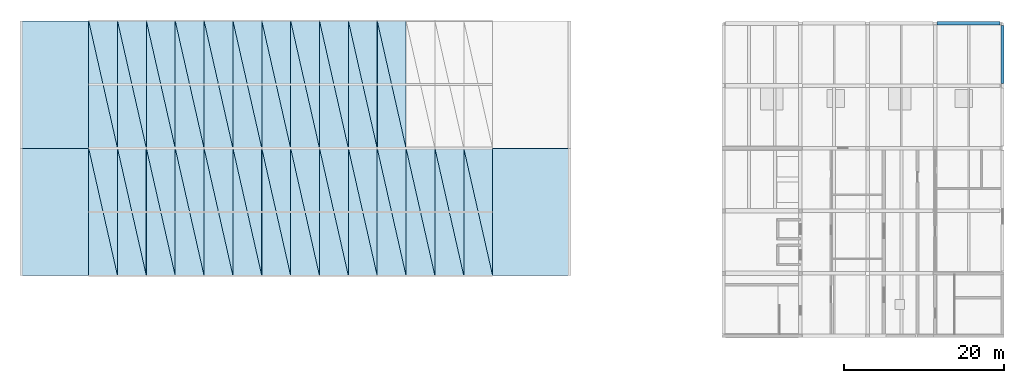
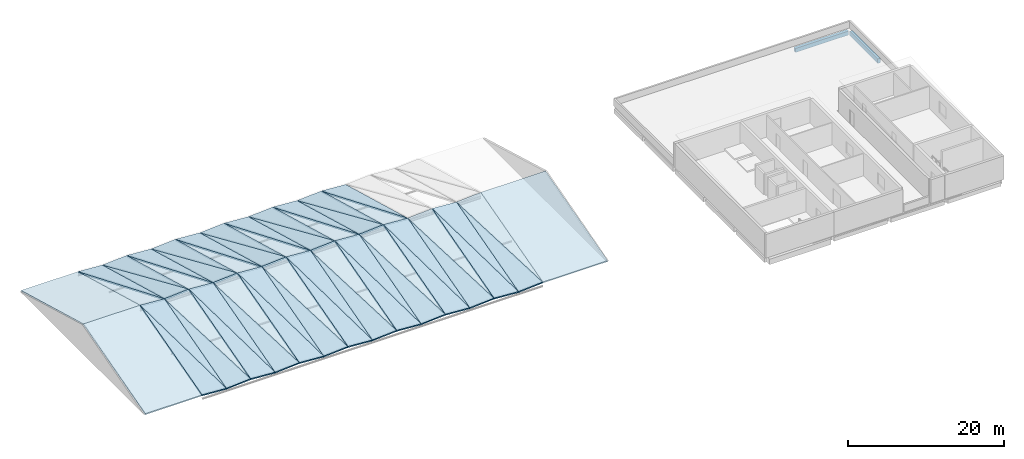
# One storey, part 2 of 6: 53 slabs, 2 beams.
"""IFC4 building model written with IfcOpenShell, lengths in metres."""

import ifcopenshell
import ifcopenshell.guid

model = None  # the IFC model being written
_history = None  # IfcOwnerHistory: only IFC2X3 demands one
_inside = {}  # id of a spatial element -> (the spatial element, [elements in it])
_under = {}  # id of a project, library or spatial element -> (it, [spatial elements below it])
_declared = {}  # id of a project -> (the project, [libraries it declares])
_typed = {}  # id of a type object -> (the type object, [elements of that type])
_made_of = {}  # id of a material, layer set ... -> (it, [elements and type objects made of it])


def new_model(schema):
    """Start an empty IFC model of exactly this schema.

    Asked for "IFC4X3", IfcOpenShell would pick the latest addendum, in which some entities
    have other attributes; the version numbers below select the first issue.
    IFC2X3 requires an IfcOwnerHistory on every rooted entity: one is made here for all.
    """
    global model, _history
    if schema == "IFC4X3":
        model = ifcopenshell.file(schema_version=(4, 3, 0, 0))
    else:
        model = ifcopenshell.file(schema=schema)
    _inside.clear()
    _under.clear()
    _declared.clear()
    _typed.clear()
    _made_of.clear()
    _history = None
    if model.schema == "IFC2X3":
        org = make("IfcOrganization", Name="unknown")
        user = make(
            "IfcPersonAndOrganization",
            ThePerson=make("IfcPerson", FamilyName="unknown"),
            TheOrganization=org,
        )
        app = make(
            "IfcApplication",
            ApplicationDeveloper=org,
            Version="unknown",
            ApplicationFullName="unknown",
            ApplicationIdentifier="unknown",
        )
        _history = make(
            "IfcOwnerHistory",
            OwningUser=user,
            OwningApplication=app,
            ChangeAction="ADDED",
            CreationDate=0,
        )
    return model


def make(cls, **values):
    """One entity of the class cls with the attributes given. An attribute that is None is left unset."""
    return model.create_entity(
        cls, **{name: value for name, value in values.items() if value is not None}
    )


def rooted(cls, **values):
    """An entity with a GlobalId (a new one), such as an element, a storey or a relation."""
    return make(cls, GlobalId=ifcopenshell.guid.new(), OwnerHistory=_history, **values)


def si_unit(unit_type, name, prefix=None):
    """IfcSIUnit, for example si_unit("LENGTHUNIT", "METRE", prefix="MILLI")."""
    return make("IfcSIUnit", UnitType=unit_type, Prefix=prefix, Name=name)


def assignment(units):
    """IfcUnitAssignment: the units of a project."""
    return None if units is None else make("IfcUnitAssignment", Units=units)


def point(xyz):
    """IfcCartesianPoint."""
    return None if xyz is None else make("IfcCartesianPoint", Coordinates=xyz)


def direction(xyz):
    """IfcDirection."""
    return None if xyz is None else make("IfcDirection", DirectionRatios=xyz)


def frame(location, z_axis=None, x_axis=None):
    """IfcAxis2Placement3D, a coordinate frame: its origin and axes. An axis left out is left unset."""
    return make(
        "IfcAxis2Placement3D",
        Location=point(location),
        Axis=direction(z_axis),
        RefDirection=direction(x_axis),
    )


def frame_2d(location, x_axis=None):
    """IfcAxis2Placement2D, a coordinate frame in the plane: its origin and x axis."""
    return make(
        "IfcAxis2Placement2D", Location=point(location), RefDirection=direction(x_axis)
    )


def origin():
    """The frame at (0, 0, 0) with its axes left unset."""
    return frame((0.0, 0.0, 0.0))


def origin_2d():
    """The frame at (0, 0) in the plane with its x axis left unset."""
    return frame_2d((0.0, 0.0))


def place(relative_to, where):
    """IfcLocalPlacement: puts the frame where relative to a parent placement (None: the world)."""
    return make(
        "IfcLocalPlacement", PlacementRelTo=relative_to, RelativePlacement=where
    )


def context(
    kind, dimensions, precision=None, world=None, true_north=None, identifier=None
):
    """IfcGeometricRepresentationContext, for example the 3D "Model" context."""
    return make(
        "IfcGeometricRepresentationContext",
        ContextIdentifier=identifier,
        ContextType=kind,
        CoordinateSpaceDimension=dimensions,
        Precision=precision,
        WorldCoordinateSystem=world,
        TrueNorth=true_north,
    )


def subcontext(parent, identifier, kind, view, scale=None):
    """IfcGeometricRepresentationSubContext, for example "Body" below "Model"."""
    return make(
        "IfcGeometricRepresentationSubContext",
        ContextIdentifier=identifier,
        ContextType=kind,
        ParentContext=parent,
        TargetScale=scale,
        TargetView=view,
    )


def project(units=None, contexts=None):
    """IfcProject with its units and contexts."""
    return rooted(
        "IfcProject",
        Name="project",
        RepresentationContexts=contexts,
        UnitsInContext=assignment(units),
    )


def spatial(cls, under=None, at=None, **own):
    """A site, building, storey or space (cls), placed at a placement, below another one or the project."""
    s = rooted(cls, ObjectPlacement=at, **own)
    if under is not None:
        _under.setdefault(under.id(), (under, []))[1].append(s)
    return s


def polyline(points):
    """IfcPolyline through the points."""
    return make("IfcPolyline", Points=[point(p) for p in points])


def profile(cls, at=None, kind="AREA", **sizes):
    """A parametric profile (cls). Its sizes go by their IFC names, for example OverallWidth=200.0."""
    return make(cls, ProfileType=kind, Position=at, **sizes)


def rectangle(**sizes):
    """IfcRectangleProfileDef."""
    return profile("IfcRectangleProfileDef", **sizes)


def outline(outer, holes=None, kind="AREA"):
    """IfcArbitraryClosedProfileDef: a profile drawn as a closed curve; with holes, ...WithVoids."""
    if holes is None:
        return make("IfcArbitraryClosedProfileDef", ProfileType=kind, OuterCurve=outer)
    return make(
        "IfcArbitraryProfileDefWithVoids",
        ProfileType=kind,
        OuterCurve=outer,
        InnerCurves=holes,
    )


def extrude(swept, where, along, depth):
    """IfcExtrudedAreaSolid: the profile swept, set in the frame where, extruded along a direction by depth."""
    return make(
        "IfcExtrudedAreaSolid",
        SweptArea=swept,
        Position=where,
        ExtrudedDirection=direction(along),
        Depth=depth,
    )


def shape(context_of_items, identifier, shape_type, items):
    """IfcShapeRepresentation: the items that make up one representation, for example the "Body"."""
    return make(
        "IfcShapeRepresentation",
        ContextOfItems=context_of_items,
        RepresentationIdentifier=identifier,
        RepresentationType=shape_type,
        Items=items,
    )


def material(Name=None, Category=None):
    """IfcMaterial."""
    return make("IfcMaterial", Name=Name, Category=Category)


def layer(
    of_material, thickness, ventilated=None, Name=None, Category=None, Priority=None
):
    """IfcMaterialLayer: one layer of a wall or slab, of a material (None: an air gap)."""
    return make(
        "IfcMaterialLayer",
        Material=of_material,
        LayerThickness=thickness,
        IsVentilated=ventilated,
        Name=Name,
        Category=Category,
        Priority=Priority,
    )


def layer_set(layers, Name=None):
    """IfcMaterialLayerSet."""
    return make("IfcMaterialLayerSet", MaterialLayers=layers, LayerSetName=Name)


def material_profile(
    of_material, cross_section, Name=None, Category=None, Priority=None
):
    """IfcMaterialProfile: a cross section and its material."""
    return make(
        "IfcMaterialProfile",
        Name=Name,
        Material=of_material,
        Profile=cross_section,
        Priority=Priority,
        Category=Category,
    )


def profile_set(profiles, Name=None, composite=None):
    """IfcMaterialProfileSet."""
    return make(
        "IfcMaterialProfileSet",
        Name=Name,
        MaterialProfiles=profiles,
        CompositeProfile=composite,
    )


def made_of(thing, what):
    """Note that an element or type object is made of a material, layer set ...; save() writes the relation."""
    if what is not None:
        _made_of.setdefault(what.id(), (what, []))[1].append(thing)
    return thing


def type_object(cls, material=None, **own):
    """A type object (cls), such as IfcWallType, which elements share."""
    return made_of(rooted(cls, **own), material)


def element(
    cls,
    number,
    at=None,
    inside=None,
    cuts=None,
    type_object=None,
    material=None,
    context=None,
    identifier="Body",
    shape_type=None,
    held_by="IfcProductDefinitionShape",
    body=None,
    shapes=None,
    **own,
):
    """One element of the class cls, such as IfcWall. Its Tag is "e" and its number.

    at: its placement. inside: the storey or other place that contains it. cuts: it is an
    opening in that element (IfcRelVoidsElement). A single representation is given by context,
    identifier, shape_type and body (its items); several are given by shapes. held_by: the class
    of the entity that holds the representations. save() writes the other relations.
    """
    e = rooted(cls, Tag="e%d" % number, ObjectPlacement=at, **own)
    if body is not None:
        shapes = [shape(context, identifier, shape_type, body)]
    if shapes is not None:
        e.Representation = make(held_by, Representations=shapes)
    if inside is not None:
        _inside.setdefault(inside.id(), (inside, []))[1].append(e)
    if cuts is not None:
        rooted(
            "IfcRelVoidsElement", RelatingBuildingElement=cuts, RelatedOpeningElement=e
        )
    if type_object is not None:
        _typed.setdefault(type_object.id(), (type_object, []))[1].append(e)
    return made_of(e, material)


def aggregate(whole, parts):
    """IfcRelAggregates: a whole, such as a stair, and the parts it consists of."""
    return rooted("IfcRelAggregates", RelatingObject=whole, RelatedObjects=parts)


def save(model, path):
    """Write the relations noted so far, then the file.

    IfcRelAggregates (storeys below a building ...), IfcRelContainedInSpatialStructure (elements
    in a storey), IfcRelDefinesByType, IfcRelAssociatesMaterial and IfcRelDeclares: one each for
    every whole, place, type object, material and project.
    """
    for whole, parts in _under.values():
        aggregate(whole, parts)
    for where, things in _inside.values():
        rooted(
            "IfcRelContainedInSpatialStructure",
            RelatedElements=things,
            RelatingStructure=where,
        )
    for kind, things in _typed.values():
        rooted("IfcRelDefinesByType", RelatedObjects=things, RelatingType=kind)
    for what, things in _made_of.values():
        rooted("IfcRelAssociatesMaterial", RelatedObjects=things, RelatingMaterial=what)
    for by, libraries in _declared.values():
        rooted("IfcRelDeclares", RelatingContext=by, RelatedDefinitions=libraries)
    model.write(path)


model = new_model("IFC4")

# Units and contexts
model_context = context("Model", 3, precision=1e-05, world=origin(), true_north=direction((0.0, 1.0)))
body_context = subcontext(model_context, "Body", "Model", "MODEL_VIEW")
ifc_project = project(units=[si_unit("LENGTHUNIT", "METRE"), si_unit("AREAUNIT", "SQUARE_METRE"), si_unit("VOLUMEUNIT", "CUBIC_METRE"), si_unit("PLANEANGLEUNIT", "RADIAN"), si_unit("MASSUNIT", "GRAM", prefix="KILO")], contexts=[model_context])

# Site, building, storey
site_placement = place(None, origin())
site = spatial("IfcSite", under=ifc_project, at=site_placement, CompositionType="ELEMENT")
building_placement = place(site_placement, origin())
building = spatial("IfcBuilding", under=site, at=building_placement, Name="Pellamere Symphony Hall", CompositionType="ELEMENT")
storey_placement = place(building_placement, frame((0.0, 0.0, 28.5)))
storey = spatial("IfcBuildingStorey", under=building, at=storey_placement, Name="RF", CompositionType="ELEMENT", Elevation=28.5)

# Beams
ifc_material_1 = material(Name="Concrete 40 MPa", Category="concrete")
ifc_material_profile_1 = material_profile(ifc_material_1, rectangle(XDim=0.39990234375, YDim=0.699951171875, at=origin_2d()), Name="RC 400x700")
ifc_profile_set_1 = profile_set([ifc_material_profile_1], Name="Concrete 40 MPa")
beam_type_1 = type_object("IfcBeamType", Name="RC CB-13 400x700", PredefinedType="SPANDREL", material=ifc_profile_set_1)
beam_1_placement = place(storey_placement, frame((172.800048828125, 69.909912109375, -0.610107421875), z_axis=(0.0, 1.0, 0.0), x_axis=(-1.0, 0.0, 0.0)))
element("IfcBeam", 1, at=beam_1_placement, inside=storey, type_object=beam_type_1, Name="Girder CB-13-Y2238 (RF)", PredefinedType="SPANDREL", context=body_context, shape_type="SweptSolid", body=[
    extrude(rectangle(XDim=0.39990234375, YDim=0.699951171875, at=origin_2d()), origin(), (0.0, 0.0, 1.0), 7.18017578125),
])
ifc_material_profile_2 = material_profile(ifc_material_1, rectangle(XDim=0.419921875, YDim=0.6201171875, at=origin_2d()), Name="RC 420x620")
ifc_profile_set_2 = profile_set([ifc_material_profile_2], Name="Concrete 40 MPa")
beam_type_2 = type_object("IfcBeamType", Name="RC CB-16 420x620", PredefinedType="BEAM", material=ifc_profile_set_2)
beam_2_placement = place(storey_placement, frame((164.64990234375, 77.39990234375, -0.570068359375), z_axis=(1.0, 0.0, 0.0), x_axis=(0.0, 1.0, 0.0)))
element("IfcBeam", 2, at=beam_2_placement, inside=storey, type_object=beam_type_2, Name="Girder CB-16-X2213 (RF)", PredefinedType="BEAM", context=body_context, shape_type="SweptSolid", body=[
    extrude(rectangle(XDim=0.419921875, YDim=0.6201171875, at=origin_2d()), origin(), (0.0, 0.0, 1.0), 7.840087890625),
])

# Slabs
ifc_material_2 = material(Name="Precast concrete 40 MPa", Category="concrete")
ifc_layer_1 = layer(ifc_material_2, 0.239990234375, Name="Precast concrete 40 MPa")
ifc_layer_set_1 = layer_set([ifc_layer_1], Name="Precast concrete 40 MPa")
slab_type_1 = type_object("IfcSlabType", Name="Structural Slab RS-01 240mm", PredefinedType="ROOF", material=ifc_layer_set_1)
slab_1_placement = place(storey_placement, frame((58.800048828125, 45.89990234375, 1.6201171875), z_axis=(0.064205401011, -0.265022414679, 0.962102274292), x_axis=(0.997780664271, 0.0, -0.066586380037)))
element("IfcSlab", 3, at=slab_1_placement, inside=storey, type_object=slab_type_1, Name="Crown Folded-Plate Ridge Roof Bay 1 Facet 5", PredefinedType="ROOF", context=body_context, shape_type="SweptSolid", body=[
    extrude(outline(polyline([(0.0, 0.0), (3.607860569491193, 0.0), (-0.291640541469863, 16.489784033467107), (0.0, 0.0)])), origin(), (0.0, 0.0, -1.0), 0.239990234375),
])
slab_2_placement = place(storey_placement, frame((62.39990234375, 45.89990234375, 1.3798828125), z_axis=(0.064140169067, -0.265037259486, 0.96210253601), x_axis=(0.0, 0.964087689542, 0.265584123913)))
element("IfcSlab", 4, at=slab_2_placement, inside=storey, type_object=slab_type_1, Name="Crown Folded-Plate Ridge Roof Bay 1 Facet 6", PredefinedType="ROOF", context=body_context, shape_type="SweptSolid", body=[
    extrude(outline(polyline([(0.0, 0.0), (16.492427666965067, 0.0), (16.556165263109165, 3.6072812706234623), (0.0, 0.0)])), origin(), (0.0, 0.0, -1.0), 0.239990234375),
])
slab_3_placement = place(storey_placement, frame((62.39990234375, 45.89990234375, 1.3798828125), z_axis=(-0.064200813509, -0.265036223809, 0.962098776433), x_axis=(0.997780964268, 0.0, 0.0665818845)))
element("IfcSlab", 5, at=slab_3_placement, inside=storey, type_object=slab_type_1, Name="Crown Folded-Plate Ridge Roof Bay 1 Facet 7", PredefinedType="ROOF", context=body_context, shape_type="SweptSolid", body=[
    extrude(outline(polyline([(0.0, 0.0), (3.608104168322803, 0.0), (0.2916371068892314, 16.48984894254523), (0.0, 0.0)])), origin(), (0.0, 0.0, -1.0), 0.239990234375),
])
slab_4_placement = place(storey_placement, frame((66.0, 45.89990234375, 1.6201171875), z_axis=(-0.064136088401, -0.265023598334, 0.962106571275), x_axis=(0.0, 0.964091479763, 0.265570364779)))
element("IfcSlab", 6, at=slab_4_placement, inside=storey, type_object=slab_type_1, Name="Crown Folded-Plate Ridge Roof Bay 1 Facet 8", PredefinedType="ROOF", context=body_context, shape_type="SweptSolid", body=[
    extrude(outline(polyline([(0.0, 0.0), (16.49236282877064, 0.0), (16.42862853468434, 3.607524966911446), (0.0, 0.0)])), origin(), (0.0, 0.0, -1.0), 0.239990234375),
])
slab_5_placement = place(storey_placement, frame((58.800048828125, 61.800048828125, 6.0), z_axis=(0.064140351016, 0.265027307963, 0.962105265241), x_axis=(0.997785157857, 0.0, -0.066519010524)))
element("IfcSlab", 7, at=slab_5_placement, inside=storey, type_object=slab_type_1, Name="Crown Folded-Plate Ridge Roof Bay 1 Facet 9", PredefinedType="ROOF", context=body_context, shape_type="SweptSolid", body=[
    extrude(outline(polyline([(0.0, 0.0), (3.6078443212745532, 1.3877787807814457e-17), (0.29134547089758406, 16.489553838979607), (0.0, 0.0)])), origin(), (0.0, 0.0, -1.0), 0.239990234375),
])
slab_6_placement = place(storey_placement, frame((62.39990234375, 61.800048828125, 5.760009765625), z_axis=(0.064205080383, 0.265039933439, 0.962097469769), x_axis=(0.0, 0.964086645377, -0.265587914269)))
element("IfcSlab", 8, at=slab_6_placement, inside=storey, type_object=slab_type_1, Name="Crown Folded-Plate Ridge Roof Bay 1 Facet 10", PredefinedType="ROOF", context=body_context, shape_type="SweptSolid", body=[
    extrude(outline(polyline([(0.0, 0.0), (16.49219229412145, 5.551115123125783e-17), (16.428388947529395, 3.6072963590274876), (0.0, 0.0)])), origin(), (0.0, 0.0, -1.0), 0.239990234375),
])
slab_7_placement = place(storey_placement, frame((62.39990234375, 61.800048828125, 5.760009765625), z_axis=(-0.064135768117, 0.26504111716, 0.962101766687), x_axis=(0.997785457248, 0.0, 0.066514519495)))
element("IfcSlab", 9, at=slab_7_placement, inside=storey, type_object=slab_type_1, Name="Crown Folded-Plate Ridge Roof Bay 1 Facet 11", PredefinedType="ROOF", context=body_context, shape_type="SweptSolid", body=[
    extrude(outline(polyline([(0.0, 0.0), (3.608087921203156, 0.0), (-0.29134203961476457, 16.489618748844133), (0.0, 0.0)])), origin(), (0.0, 0.0, -1.0), 0.239990234375),
])
slab_8_placement = place(storey_placement, frame((66.0, 61.800048828125, 6.0), z_axis=(-0.064200995629, 0.265026272319, 0.962101505633), x_axis=(0.0, 0.964090435702, -0.265574154969)))
element("IfcSlab", 10, at=slab_8_placement, inside=storey, type_object=slab_type_1, Name="Crown Folded-Plate Ridge Roof Bay 1 Facet 12", PredefinedType="ROOF", context=body_context, shape_type="SweptSolid", body=[
    extrude(outline(polyline([(0.0, 0.0), (16.492127455001665, -5.551115123125783e-17), (16.55592749613675, 3.60754005441652), (0.0, 0.0)])), origin(), (0.0, 0.0, -1.0), 0.239990234375),
])
slab_9_placement = place(storey_placement, frame((66.0, 45.89990234375, 1.6201171875), z_axis=(0.064201064869, -0.265022488765, 0.962102543245), x_axis=(0.997780964268, 0.0, -0.0665818845)))
element("IfcSlab", 11, at=slab_9_placement, inside=storey, type_object=slab_type_1, Name="Crown Folded-Plate Ridge Roof Bay 2 Facet 5", PredefinedType="ROOF", context=body_context, shape_type="SweptSolid", body=[
    extrude(outline(polyline([(0.0, 0.0), (3.608104168322803, 0.0), (-0.2916208515463359, 16.489784381693987), (0.0, 0.0)])), origin(), (0.0, 0.0, -1.0), 0.239990234375),
])
slab_10_placement = place(storey_placement, frame((69.60009765625, 45.89990234375, 1.3798828125), z_axis=(0.064135837294, -0.265037333426, 0.962102804416), x_axis=(0.0, 0.964087689542, 0.265584123913)))
element("IfcSlab", 12, at=slab_10_placement, inside=storey, type_object=slab_type_1, Name="Crown Folded-Plate Ridge Roof Bay 2 Facet 6", PredefinedType="ROOF", context=body_context, shape_type="SweptSolid", body=[
    extrude(outline(polyline([(0.0, 0.0), (16.492427666965067, 5.551115123125783e-17), (16.556165263109165, 3.607524908572342), (0.0, 0.0)])), origin(), (0.0, 0.0, -1.0), 0.239990234375),
])
slab_11_placement = place(storey_placement, frame((69.60009765625, 45.89990234375, 1.3798828125), z_axis=(-0.064205149635, -0.265036149719, 0.962098507484), x_axis=(0.997780664271, 0.0, 0.066586380037)))
element("IfcSlab", 13, at=slab_11_placement, inside=storey, type_object=slab_type_1, Name="Crown Folded-Plate Ridge Roof Bay 2 Facet 7", PredefinedType="ROOF", context=body_context, shape_type="SweptSolid", body=[
    extrude(outline(polyline([(0.0, 0.0), (3.607860569491193, 1.3877787807814457e-17), (0.2916567979103017, 16.48984859428089), (0.0, 0.0)])), origin(), (0.0, 0.0, -1.0), 0.239990234375),
])
slab_12_placement = place(storey_placement, frame((73.199951171875, 45.89990234375, 1.6201171875), z_axis=(-0.064140420191, -0.265023524397, 0.962106302866), x_axis=(0.0, 0.964091479763, 0.265570364779)))
element("IfcSlab", 14, at=slab_12_placement, inside=storey, type_object=slab_type_1, Name="Crown Folded-Plate Ridge Roof Bay 2 Facet 8", PredefinedType="ROOF", context=body_context, shape_type="SweptSolid", body=[
    extrude(outline(polyline([(0.0, 0.0), (16.49236282877064, 0.0), (16.42862853468434, 3.607281328966506), (0.0, 0.0)])), origin(), (0.0, 0.0, -1.0), 0.239990234375),
])
slab_13_placement = place(storey_placement, frame((66.0, 61.800048828125, 6.0), z_axis=(0.064136019231, 0.265027381901, 0.96210553365), x_axis=(0.997785457248, 0.0, -0.066514519495)))
element("IfcSlab", 15, at=slab_13_placement, inside=storey, type_object=slab_type_1, Name="Crown Folded-Plate Ridge Roof Bay 2 Facet 9", PredefinedType="ROOF", context=body_context, shape_type="SweptSolid", body=[
    extrude(outline(polyline([(0.0, 0.0), (3.608087921203156, 0.0), (0.29132580071840347, 16.48955418651018), (0.0, 0.0)])), origin(), (0.0, 0.0, -1.0), 0.239990234375),
])
slab_14_placement = place(storey_placement, frame((69.60009765625, 61.800048828125, 5.760009765625), z_axis=(0.064200744263, 0.265040007529, 0.962097738717), x_axis=(0.0, 0.964086645377, -0.265587914269)))
element("IfcSlab", 16, at=slab_14_placement, inside=storey, type_object=slab_type_1, Name="Crown Folded-Plate Ridge Roof Bay 2 Facet 10", PredefinedType="ROOF", context=body_context, shape_type="SweptSolid", body=[
    extrude(outline(polyline([(0.0, 0.0), (16.49219229412145, 5.551115123125783e-17), (16.428388947529395, 3.6075399959573615), (0.0, 0.0)])), origin(), (0.0, 0.0, -1.0), 0.239990234375),
])
slab_15_placement = place(storey_placement, frame((69.60009765625, 61.800048828125, 5.760009765625), z_axis=(-0.064140099885, 0.265041043219, 0.962101498282), x_axis=(0.997785157857, 0.0, 0.066519010524)))
element("IfcSlab", 17, at=slab_15_placement, inside=storey, type_object=slab_type_1, Name="Crown Folded-Plate Ridge Roof Bay 2 Facet 11", PredefinedType="ROOF", context=body_context, shape_type="SweptSolid", body=[
    extrude(outline(polyline([(0.0, 0.0), (3.6078443212745532, 0.0), (-0.2913617108903877, 16.48961840127618), (0.0, 0.0)])), origin(), (0.0, 0.0, -1.0), 0.239990234375),
])
slab_16_placement = place(storey_placement, frame((73.199951171875, 61.800048828125, 6.0), z_axis=(-0.064205331766, 0.265026198232, 0.962101236681), x_axis=(0.0, 0.964090435702, -0.265574154969)))
element("IfcSlab", 18, at=slab_16_placement, inside=storey, type_object=slab_type_1, Name="Crown Folded-Plate Ridge Roof Bay 2 Facet 12", PredefinedType="ROOF", context=body_context, shape_type="SweptSolid", body=[
    extrude(outline(polyline([(0.0, 0.0), (16.492127455001665, -5.551115123125783e-17), (16.55592749613675, 3.6072964174905944), (0.0, 0.0)])), origin(), (0.0, 0.0, -1.0), 0.239990234375),
])
slab_17_placement = place(storey_placement, frame((73.199951171875, 45.89990234375, 1.6201171875), z_axis=(0.064201064869, -0.265022488765, 0.962102543245), x_axis=(0.997780964268, 0.0, -0.0665818845)))
element("IfcSlab", 19, at=slab_17_placement, inside=storey, type_object=slab_type_1, Name="Crown Folded-Plate Ridge Roof Bay 3 Facet 5", PredefinedType="ROOF", context=body_context, shape_type="SweptSolid", body=[
    extrude(outline(polyline([(0.0, 0.0), (3.608104168322803, 0.0), (-0.2916208515463359, 16.489784381693987), (0.0, 0.0)])), origin(), (0.0, 0.0, -1.0), 0.239990234375),
])
slab_18_placement = place(storey_placement, frame((76.800048828125, 45.89990234375, 1.3798828125), z_axis=(0.064135837294, -0.265037333426, 0.962102804416), x_axis=(0.0, 0.964087689542, 0.265584123913)))
element("IfcSlab", 20, at=slab_18_placement, inside=storey, type_object=slab_type_1, Name="Crown Folded-Plate Ridge Roof Bay 3 Facet 6", PredefinedType="ROOF", context=body_context, shape_type="SweptSolid", body=[
    extrude(outline(polyline([(0.0, 0.0), (16.492427666965067, 5.551115123125783e-17), (16.556165263109165, 3.607524908572342), (0.0, 0.0)])), origin(), (0.0, 0.0, -1.0), 0.239990234375),
])
slab_19_placement = place(storey_placement, frame((76.800048828125, 45.89990234375, 1.3798828125), z_axis=(-0.064205149635, -0.265036149719, 0.962098507484), x_axis=(0.997780664271, 0.0, 0.066586380037)))
element("IfcSlab", 21, at=slab_19_placement, inside=storey, type_object=slab_type_1, Name="Crown Folded-Plate Ridge Roof Bay 3 Facet 7", PredefinedType="ROOF", context=body_context, shape_type="SweptSolid", body=[
    extrude(outline(polyline([(0.0, 0.0), (3.607860569491193, 1.3877787807814457e-17), (0.2916567979103017, 16.48984859428089), (0.0, 0.0)])), origin(), (0.0, 0.0, -1.0), 0.239990234375),
])
slab_20_placement = place(storey_placement, frame((80.39990234375, 45.89990234375, 1.6201171875), z_axis=(-0.064140420191, -0.265023524397, 0.962106302866), x_axis=(0.0, 0.964091479763, 0.265570364779)))
element("IfcSlab", 22, at=slab_20_placement, inside=storey, type_object=slab_type_1, Name="Crown Folded-Plate Ridge Roof Bay 3 Facet 8", PredefinedType="ROOF", context=body_context, shape_type="SweptSolid", body=[
    extrude(outline(polyline([(0.0, 0.0), (16.49236282877064, 0.0), (16.42862853468434, 3.607281328966506), (0.0, 0.0)])), origin(), (0.0, 0.0, -1.0), 0.239990234375),
])
slab_21_placement = place(storey_placement, frame((73.199951171875, 61.800048828125, 6.0), z_axis=(0.064136019231, 0.265027381901, 0.96210553365), x_axis=(0.997785457248, 0.0, -0.066514519495)))
element("IfcSlab", 23, at=slab_21_placement, inside=storey, type_object=slab_type_1, Name="Crown Folded-Plate Ridge Roof Bay 3 Facet 9", PredefinedType="ROOF", context=body_context, shape_type="SweptSolid", body=[
    extrude(outline(polyline([(0.0, 0.0), (3.608087921203156, 0.0), (0.29132580071840347, 16.48955418651018), (0.0, 0.0)])), origin(), (0.0, 0.0, -1.0), 0.239990234375),
])
slab_22_placement = place(storey_placement, frame((76.800048828125, 61.800048828125, 5.760009765625), z_axis=(0.064200744263, 0.265040007529, 0.962097738717), x_axis=(0.0, 0.964086645377, -0.265587914269)))
element("IfcSlab", 24, at=slab_22_placement, inside=storey, type_object=slab_type_1, Name="Crown Folded-Plate Ridge Roof Bay 3 Facet 10", PredefinedType="ROOF", context=body_context, shape_type="SweptSolid", body=[
    extrude(outline(polyline([(0.0, 0.0), (16.49219229412145, 5.551115123125783e-17), (16.428388947529395, 3.6075399959573615), (0.0, 0.0)])), origin(), (0.0, 0.0, -1.0), 0.239990234375),
])
slab_23_placement = place(storey_placement, frame((76.800048828125, 61.800048828125, 5.760009765625), z_axis=(-0.064140099885, 0.265041043219, 0.962101498282), x_axis=(0.997785157857, 0.0, 0.066519010524)))
element("IfcSlab", 25, at=slab_23_placement, inside=storey, type_object=slab_type_1, Name="Crown Folded-Plate Ridge Roof Bay 3 Facet 11", PredefinedType="ROOF", context=body_context, shape_type="SweptSolid", body=[
    extrude(outline(polyline([(0.0, 0.0), (3.6078443212745532, 0.0), (-0.2913617108903877, 16.48961840127618), (0.0, 0.0)])), origin(), (0.0, 0.0, -1.0), 0.239990234375),
])
slab_24_placement = place(storey_placement, frame((80.39990234375, 61.800048828125, 6.0), z_axis=(-0.064205331766, 0.265026198232, 0.962101236681), x_axis=(0.0, 0.964090435702, -0.265574154969)))
element("IfcSlab", 26, at=slab_24_placement, inside=storey, type_object=slab_type_1, Name="Crown Folded-Plate Ridge Roof Bay 3 Facet 12", PredefinedType="ROOF", context=body_context, shape_type="SweptSolid", body=[
    extrude(outline(polyline([(0.0, 0.0), (16.492127455001665, -5.551115123125783e-17), (16.55592749613675, 3.6072964174905944), (0.0, 0.0)])), origin(), (0.0, 0.0, -1.0), 0.239990234375),
])
slab_25_placement = place(storey_placement, frame((80.39990234375, 45.89990234375, 1.6201171875), z_axis=(0.064201064869, -0.265022488765, 0.962102543245), x_axis=(0.997780964268, 0.0, -0.0665818845)))
element("IfcSlab", 27, at=slab_25_placement, inside=storey, type_object=slab_type_1, Name="Crown Folded-Plate Ridge Roof Bay 4 Facet 5", PredefinedType="ROOF", context=body_context, shape_type="SweptSolid", body=[
    extrude(outline(polyline([(0.0, 0.0), (3.608104168322803, 0.0), (-0.2916208515463359, 16.489784381693987), (0.0, 0.0)])), origin(), (0.0, 0.0, -1.0), 0.239990234375),
])
slab_26_placement = place(storey_placement, frame((84.0, 45.89990234375, 1.3798828125), z_axis=(0.064135837294, -0.265037333426, 0.962102804416), x_axis=(0.0, 0.964087689542, 0.265584123913)))
element("IfcSlab", 28, at=slab_26_placement, inside=storey, type_object=slab_type_1, Name="Crown Folded-Plate Ridge Roof Bay 4 Facet 6", PredefinedType="ROOF", context=body_context, shape_type="SweptSolid", body=[
    extrude(outline(polyline([(0.0, 0.0), (16.492427666965067, 5.551115123125783e-17), (16.556165263109165, 3.607524908572342), (0.0, 0.0)])), origin(), (0.0, 0.0, -1.0), 0.239990234375),
])
slab_27_placement = place(storey_placement, frame((84.0, 45.89990234375, 1.3798828125), z_axis=(-0.064200813509, -0.265036223809, 0.962098776433), x_axis=(0.997780964268, 0.0, 0.0665818845)))
element("IfcSlab", 29, at=slab_27_placement, inside=storey, type_object=slab_type_1, Name="Crown Folded-Plate Ridge Roof Bay 4 Facet 7", PredefinedType="ROOF", context=body_context, shape_type="SweptSolid", body=[
    extrude(outline(polyline([(0.0, 0.0), (3.608104168322803, 0.0), (0.2916371068892314, 16.48984894254523), (0.0, 0.0)])), origin(), (0.0, 0.0, -1.0), 0.239990234375),
])
slab_28_placement = place(storey_placement, frame((87.60009765625, 45.89990234375, 1.6201171875), z_axis=(-0.064136088401, -0.265023598334, 0.962106571275), x_axis=(0.0, 0.964091479763, 0.265570364779)))
element("IfcSlab", 30, at=slab_28_placement, inside=storey, type_object=slab_type_1, Name="Crown Folded-Plate Ridge Roof Bay 4 Facet 8", PredefinedType="ROOF", context=body_context, shape_type="SweptSolid", body=[
    extrude(outline(polyline([(0.0, 0.0), (16.49236282877064, 0.0), (16.42862853468434, 3.607524966911446), (0.0, 0.0)])), origin(), (0.0, 0.0, -1.0), 0.239990234375),
])
slab_29_placement = place(storey_placement, frame((80.39990234375, 61.800048828125, 6.0), z_axis=(0.064136019231, 0.265027381901, 0.96210553365), x_axis=(0.997785457248, 0.0, -0.066514519495)))
element("IfcSlab", 31, at=slab_29_placement, inside=storey, type_object=slab_type_1, Name="Crown Folded-Plate Ridge Roof Bay 4 Facet 9", PredefinedType="ROOF", context=body_context, shape_type="SweptSolid", body=[
    extrude(outline(polyline([(0.0, 0.0), (3.608087921203156, 0.0), (0.29132580071840347, 16.48955418651018), (0.0, 0.0)])), origin(), (0.0, 0.0, -1.0), 0.239990234375),
])
slab_30_placement = place(storey_placement, frame((84.0, 61.800048828125, 5.760009765625), z_axis=(0.064200744263, 0.265040007529, 0.962097738717), x_axis=(0.0, 0.964086645377, -0.265587914269)))
element("IfcSlab", 32, at=slab_30_placement, inside=storey, type_object=slab_type_1, Name="Crown Folded-Plate Ridge Roof Bay 4 Facet 10", PredefinedType="ROOF", context=body_context, shape_type="SweptSolid", body=[
    extrude(outline(polyline([(0.0, 0.0), (16.49219229412145, 5.551115123125783e-17), (16.428388947529395, 3.6075399959573615), (0.0, 0.0)])), origin(), (0.0, 0.0, -1.0), 0.239990234375),
])
slab_31_placement = place(storey_placement, frame((84.0, 61.800048828125, 5.760009765625), z_axis=(-0.064135768117, 0.26504111716, 0.962101766687), x_axis=(0.997785457248, 0.0, 0.066514519495)))
element("IfcSlab", 33, at=slab_31_placement, inside=storey, type_object=slab_type_1, Name="Crown Folded-Plate Ridge Roof Bay 4 Facet 11", PredefinedType="ROOF", context=body_context, shape_type="SweptSolid", body=[
    extrude(outline(polyline([(0.0, 0.0), (3.608087921203156, 0.0), (-0.29134203961476457, 16.489618748844133), (0.0, 0.0)])), origin(), (0.0, 0.0, -1.0), 0.239990234375),
])
slab_32_placement = place(storey_placement, frame((87.60009765625, 61.800048828125, 6.0), z_axis=(-0.064200995629, 0.265026272319, 0.962101505633), x_axis=(0.0, 0.964090435702, -0.265574154969)))
element("IfcSlab", 34, at=slab_32_placement, inside=storey, type_object=slab_type_1, Name="Crown Folded-Plate Ridge Roof Bay 4 Facet 12", PredefinedType="ROOF", context=body_context, shape_type="SweptSolid", body=[
    extrude(outline(polyline([(0.0, 0.0), (16.492127455001665, -5.551115123125783e-17), (16.55592749613675, 3.60754005441652), (0.0, 0.0)])), origin(), (0.0, 0.0, -1.0), 0.239990234375),
])
slab_33_placement = place(storey_placement, frame((87.60009765625, 45.89990234375, 1.6201171875), z_axis=(0.064205401011, -0.265022414679, 0.962102274292), x_axis=(0.997780664271, 0.0, -0.066586380037)))
element("IfcSlab", 35, at=slab_33_placement, inside=storey, type_object=slab_type_1, Name="Crown Folded-Plate Ridge Roof Bay 5 Facet 5", PredefinedType="ROOF", context=body_context, shape_type="SweptSolid", body=[
    extrude(outline(polyline([(0.0, 0.0), (3.607860569491193, 0.0), (-0.291640541469863, 16.489784033467107), (0.0, 0.0)])), origin(), (0.0, 0.0, -1.0), 0.239990234375),
])
slab_34_placement = place(storey_placement, frame((91.199951171875, 45.89990234375, 1.3798828125), z_axis=(0.064140169067, -0.265037259486, 0.96210253601), x_axis=(0.0, 0.964087689542, 0.265584123913)))
element("IfcSlab", 36, at=slab_34_placement, inside=storey, type_object=slab_type_1, Name="Crown Folded-Plate Ridge Roof Bay 5 Facet 6", PredefinedType="ROOF", context=body_context, shape_type="SweptSolid", body=[
    extrude(outline(polyline([(0.0, 0.0), (16.492427666965067, 0.0), (16.556165263109165, 3.6072812706234623), (0.0, 0.0)])), origin(), (0.0, 0.0, -1.0), 0.239990234375),
])
slab_35_placement = place(storey_placement, frame((91.199951171875, 45.89990234375, 1.3798828125), z_axis=(-0.064200813509, -0.265036223809, 0.962098776433), x_axis=(0.997780964268, 0.0, 0.0665818845)))
element("IfcSlab", 37, at=slab_35_placement, inside=storey, type_object=slab_type_1, Name="Crown Folded-Plate Ridge Roof Bay 5 Facet 7", PredefinedType="ROOF", context=body_context, shape_type="SweptSolid", body=[
    extrude(outline(polyline([(0.0, 0.0), (3.608104168322803, 0.0), (0.2916371068892314, 16.48984894254523), (0.0, 0.0)])), origin(), (0.0, 0.0, -1.0), 0.239990234375),
])
slab_36_placement = place(storey_placement, frame((94.800048828125, 45.89990234375, 1.6201171875), z_axis=(-0.064136088401, -0.265023598334, 0.962106571275), x_axis=(0.0, 0.964091479763, 0.265570364779)))
element("IfcSlab", 38, at=slab_36_placement, inside=storey, type_object=slab_type_1, Name="Crown Folded-Plate Ridge Roof Bay 5 Facet 8", PredefinedType="ROOF", context=body_context, shape_type="SweptSolid", body=[
    extrude(outline(polyline([(0.0, 0.0), (16.49236282877064, 0.0), (16.42862853468434, 3.607524966911446), (0.0, 0.0)])), origin(), (0.0, 0.0, -1.0), 0.239990234375),
])
slab_37_placement = place(storey_placement, frame((87.60009765625, 61.800048828125, 6.0), z_axis=(0.064140351016, 0.265027307963, 0.962105265241), x_axis=(0.997785157857, 0.0, -0.066519010524)))
element("IfcSlab", 39, at=slab_37_placement, inside=storey, type_object=slab_type_1, Name="Crown Folded-Plate Ridge Roof Bay 5 Facet 9", PredefinedType="ROOF", context=body_context, shape_type="SweptSolid", body=[
    extrude(outline(polyline([(0.0, 0.0), (3.6078443212745532, 1.3877787807814457e-17), (0.29134547089758406, 16.489553838979607), (0.0, 0.0)])), origin(), (0.0, 0.0, -1.0), 0.239990234375),
])
slab_38_placement = place(storey_placement, frame((91.199951171875, 61.800048828125, 5.760009765625), z_axis=(0.064205080383, 0.265039933439, 0.962097469769), x_axis=(0.0, 0.964086645377, -0.265587914269)))
element("IfcSlab", 40, at=slab_38_placement, inside=storey, type_object=slab_type_1, Name="Crown Folded-Plate Ridge Roof Bay 5 Facet 10", PredefinedType="ROOF", context=body_context, shape_type="SweptSolid", body=[
    extrude(outline(polyline([(0.0, 0.0), (16.49219229412145, 5.551115123125783e-17), (16.428388947529395, 3.6072963590274876), (0.0, 0.0)])), origin(), (0.0, 0.0, -1.0), 0.239990234375),
])
slab_39_placement = place(storey_placement, frame((91.199951171875, 61.800048828125, 5.760009765625), z_axis=(-0.064135768117, 0.26504111716, 0.962101766687), x_axis=(0.997785457248, 0.0, 0.066514519495)))
element("IfcSlab", 41, at=slab_39_placement, inside=storey, type_object=slab_type_1, Name="Crown Folded-Plate Ridge Roof Bay 5 Facet 11", PredefinedType="ROOF", context=body_context, shape_type="SweptSolid", body=[
    extrude(outline(polyline([(0.0, 0.0), (3.608087921203156, 0.0), (-0.29134203961476457, 16.489618748844133), (0.0, 0.0)])), origin(), (0.0, 0.0, -1.0), 0.239990234375),
])
slab_40_placement = place(storey_placement, frame((94.800048828125, 61.800048828125, 6.0), z_axis=(-0.064200995629, 0.265026272319, 0.962101505633), x_axis=(0.0, 0.964090435702, -0.265574154969)))
element("IfcSlab", 42, at=slab_40_placement, inside=storey, type_object=slab_type_1, Name="Crown Folded-Plate Ridge Roof Bay 5 Facet 12", PredefinedType="ROOF", context=body_context, shape_type="SweptSolid", body=[
    extrude(outline(polyline([(0.0, 0.0), (16.492127455001665, -5.551115123125783e-17), (16.55592749613675, 3.60754005441652), (0.0, 0.0)])), origin(), (0.0, 0.0, -1.0), 0.239990234375),
])
slab_41_placement = place(storey_placement, frame((94.800048828125, 45.89990234375, 1.6201171875), z_axis=(0.064205401011, -0.265022414679, 0.962102274292), x_axis=(0.997780664271, 0.0, -0.066586380037)))
element("IfcSlab", 43, at=slab_41_placement, inside=storey, type_object=slab_type_1, Name="Crown Folded-Plate Ridge Roof Bay 6 Facet 5", PredefinedType="ROOF", context=body_context, shape_type="SweptSolid", body=[
    extrude(outline(polyline([(0.0, 0.0), (3.607860569491193, 0.0), (-0.291640541469863, 16.489784033467107), (0.0, 0.0)])), origin(), (0.0, 0.0, -1.0), 0.239990234375),
])
slab_42_placement = place(storey_placement, frame((98.39990234375, 45.89990234375, 1.3798828125), z_axis=(0.064140169067, -0.265037259486, 0.96210253601), x_axis=(0.0, 0.964087689542, 0.265584123913)))
element("IfcSlab", 44, at=slab_42_placement, inside=storey, type_object=slab_type_1, Name="Crown Folded-Plate Ridge Roof Bay 6 Facet 6", PredefinedType="ROOF", context=body_context, shape_type="SweptSolid", body=[
    extrude(outline(polyline([(0.0, 0.0), (16.492427666965067, 0.0), (16.556165263109165, 3.6072812706234623), (0.0, 0.0)])), origin(), (0.0, 0.0, -1.0), 0.239990234375),
])
slab_43_placement = place(storey_placement, frame((98.39990234375, 45.89990234375, 1.3798828125), z_axis=(-0.064200813509, -0.265036223809, 0.962098776433), x_axis=(0.997780964268, 0.0, 0.0665818845)))
element("IfcSlab", 45, at=slab_43_placement, inside=storey, type_object=slab_type_1, Name="Crown Folded-Plate Ridge Roof Bay 6 Facet 7", PredefinedType="ROOF", context=body_context, shape_type="SweptSolid", body=[
    extrude(outline(polyline([(0.0, 0.0), (3.608104168322803, 0.0), (0.2916371068892314, 16.48984894254523), (0.0, 0.0)])), origin(), (0.0, 0.0, -1.0), 0.239990234375),
])
slab_44_placement = place(storey_placement, frame((102.0, 45.89990234375, 1.6201171875), z_axis=(-0.064136088401, -0.265023598334, 0.962106571275), x_axis=(0.0, 0.964091479763, 0.265570364779)))
element("IfcSlab", 46, at=slab_44_placement, inside=storey, type_object=slab_type_1, Name="Crown Folded-Plate Ridge Roof Bay 6 Facet 8", PredefinedType="ROOF", context=body_context, shape_type="SweptSolid", body=[
    extrude(outline(polyline([(0.0, 0.0), (16.49236282877064, 0.0), (16.42862853468434, 3.607524966911446), (0.0, 0.0)])), origin(), (0.0, 0.0, -1.0), 0.239990234375),
])
slab_45_placement = place(storey_placement, frame((94.800048828125, 61.800048828125, 6.0), z_axis=(0.064140351016, 0.265027307963, 0.962105265241), x_axis=(0.997785157857, 0.0, -0.066519010524)))
element("IfcSlab", 47, at=slab_45_placement, inside=storey, type_object=slab_type_1, Name="Crown Folded-Plate Ridge Roof Bay 6 Facet 9", PredefinedType="ROOF", context=body_context, shape_type="SweptSolid", body=[
    extrude(outline(polyline([(0.0, 0.0), (3.6078443212745532, 1.3877787807814457e-17), (0.29134547089758406, 16.489553838979607), (0.0, 0.0)])), origin(), (0.0, 0.0, -1.0), 0.239990234375),
])
slab_46_placement = place(storey_placement, frame((98.39990234375, 61.800048828125, 5.760009765625), z_axis=(0.064205080383, 0.265039933439, 0.962097469769), x_axis=(0.0, 0.964086645377, -0.265587914269)))
element("IfcSlab", 48, at=slab_46_placement, inside=storey, type_object=slab_type_1, Name="Crown Folded-Plate Ridge Roof Bay 6 Facet 10", PredefinedType="ROOF", context=body_context, shape_type="SweptSolid", body=[
    extrude(outline(polyline([(0.0, 0.0), (16.49219229412145, 5.551115123125783e-17), (16.428388947529395, 3.6072963590274876), (0.0, 0.0)])), origin(), (0.0, 0.0, -1.0), 0.239990234375),
])
slab_47_placement = place(storey_placement, frame((102.0, 45.89990234375, 1.6201171875), z_axis=(0.064201064869, -0.265022488765, 0.962102543245), x_axis=(0.997780964268, 0.0, -0.0665818845)))
element("IfcSlab", 49, at=slab_47_placement, inside=storey, type_object=slab_type_1, Name="Crown Folded-Plate Ridge Roof Bay 7 Facet 5", PredefinedType="ROOF", context=body_context, shape_type="SweptSolid", body=[
    extrude(outline(polyline([(0.0, 0.0), (3.608104168322803, 0.0), (-0.2916208515463359, 16.489784381693987), (0.0, 0.0)])), origin(), (0.0, 0.0, -1.0), 0.239990234375),
])
slab_48_placement = place(storey_placement, frame((105.60009765625, 45.89990234375, 1.3798828125), z_axis=(0.064135837294, -0.265037333426, 0.962102804416), x_axis=(0.0, 0.964087689542, 0.265584123913)))
element("IfcSlab", 50, at=slab_48_placement, inside=storey, type_object=slab_type_1, Name="Crown Folded-Plate Ridge Roof Bay 7 Facet 6", PredefinedType="ROOF", context=body_context, shape_type="SweptSolid", body=[
    extrude(outline(polyline([(0.0, 0.0), (16.492427666965067, 5.551115123125783e-17), (16.556165263109165, 3.607524908572342), (0.0, 0.0)])), origin(), (0.0, 0.0, -1.0), 0.239990234375),
])
slab_49_placement = place(storey_placement, frame((105.60009765625, 45.89990234375, 1.3798828125), z_axis=(-0.064205149635, -0.265036149719, 0.962098507484), x_axis=(0.997780664271, 0.0, 0.066586380037)))
element("IfcSlab", 51, at=slab_49_placement, inside=storey, type_object=slab_type_1, Name="Crown Folded-Plate Ridge Roof Bay 7 Facet 7", PredefinedType="ROOF", context=body_context, shape_type="SweptSolid", body=[
    extrude(outline(polyline([(0.0, 0.0), (3.607860569491193, 1.3877787807814457e-17), (0.2916567979103017, 16.48984859428089), (0.0, 0.0)])), origin(), (0.0, 0.0, -1.0), 0.239990234375),
])
slab_50_placement = place(storey_placement, frame((109.199951171875, 45.89990234375, 1.6201171875), z_axis=(-0.064140420191, -0.265023524397, 0.962106302866), x_axis=(0.0, 0.964091479763, 0.265570364779)))
element("IfcSlab", 52, at=slab_50_placement, inside=storey, type_object=slab_type_1, Name="Crown Folded-Plate Ridge Roof Bay 7 Facet 8", PredefinedType="ROOF", context=body_context, shape_type="SweptSolid", body=[
    extrude(outline(polyline([(0.0, 0.0), (16.49236282877064, 0.0), (16.42862853468434, 3.607281328966506), (0.0, 0.0)])), origin(), (0.0, 0.0, -1.0), 0.239990234375),
])
ifc_layer_2 = layer(ifc_material_2, 0.219970703125, Name="Precast concrete 40 MPa")
ifc_layer_set_2 = layer_set([ifc_layer_2], Name="Precast concrete 40 MPa")
slab_type_2 = type_object("IfcSlabType", Name="Structural Slab RS-02 220mm", PredefinedType="ROOF", material=ifc_layer_set_2)
slab_51_placement = place(storey_placement, frame((50.39990234375, 45.89990234375, 1.6201171875), z_axis=(0.0, -0.265570364779, 0.964091479763), x_axis=(1.0, 0.0, 0.0)))
element("IfcSlab", 53, at=slab_51_placement, inside=storey, type_object=slab_type_2, Name="Crown Crystal Foyer Sloped Roof W-SU", PredefinedType="ROOF", context=body_context, shape_type="SweptSolid", body=[
    extrude(outline(polyline([(0.0, 0.0), (8.400146484375, 0.0), (8.400146484375, 16.492362828770645), (0.0, 16.492362828770645), (0.0, 0.0)])), origin(), (0.0, 0.0, -1.0), 0.219970703125),
])
slab_52_placement = place(storey_placement, frame((50.39990234375, 61.800048828125, 6.0), z_axis=(0.0, 0.265574154969, 0.964090435702), x_axis=(1.0, 0.0, 0.0)))
element("IfcSlab", 54, at=slab_52_placement, inside=storey, type_object=slab_type_2, Name="Crown Crystal Foyer Sloped Roof W-NU", PredefinedType="ROOF", context=body_context, shape_type="SweptSolid", body=[
    extrude(outline(polyline([(0.0, 0.0), (8.400146484375, 0.0), (8.400146484375, 16.49212745500166), (0.0, 16.49212745500166), (0.0, 0.0)])), origin(), (0.0, 0.0, -1.0), 0.219970703125),
])
slab_53_placement = place(storey_placement, frame((109.199951171875, 45.89990234375, 1.6201171875), z_axis=(0.0, -0.265570364779, 0.964091479763), x_axis=(1.0, 0.0, 0.0)))
element("IfcSlab", 55, at=slab_53_placement, inside=storey, type_object=slab_type_2, Name="Crown Crystal Foyer Sloped Roof E-SU", PredefinedType="ROOF", context=body_context, shape_type="SweptSolid", body=[
    extrude(outline(polyline([(0.0, 0.0), (9.60009765625, 0.0), (9.60009765625, 16.49236282877064), (0.0, 16.49236282877064), (0.0, 0.0)])), origin(), (0.0, 0.0, -1.0), 0.219970703125),
])

save(model, "model.ifc")
